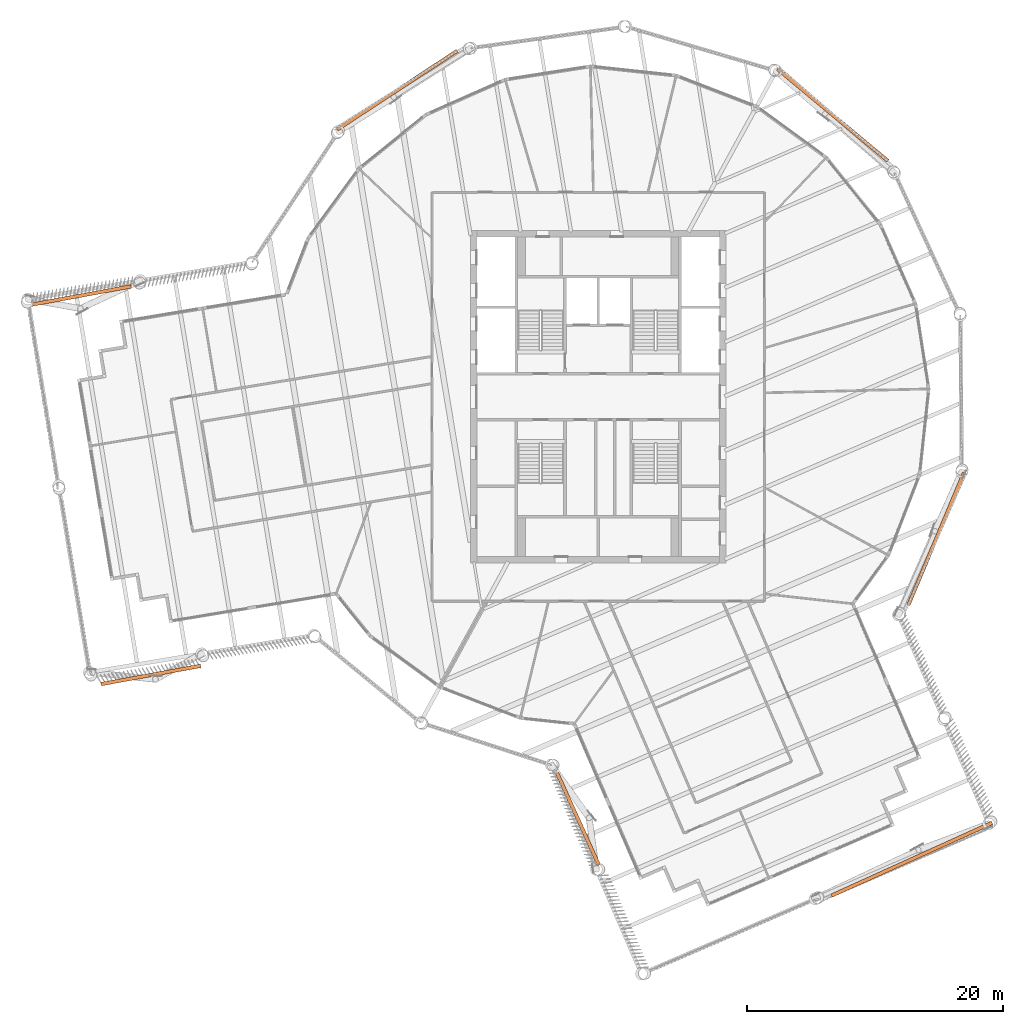
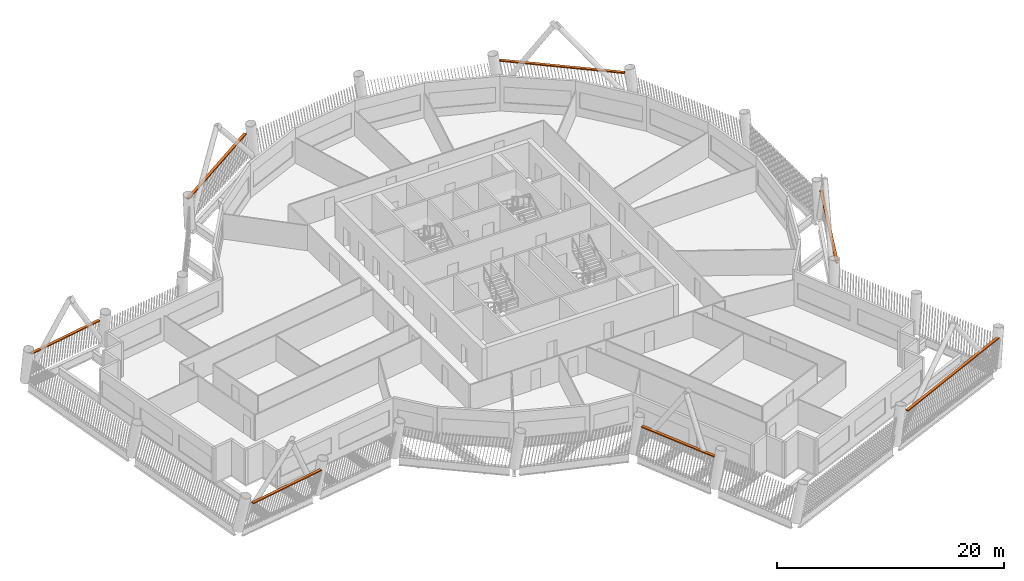
# One storey, part 23 of 23: 7 proxies.
"""IFC4 building model written with IfcOpenShell, lengths in metres."""

import ifcopenshell
import ifcopenshell.guid

model = None  # the IFC model being written
_history = None  # IfcOwnerHistory: only IFC2X3 demands one
_inside = {}  # id of a spatial element -> (the spatial element, [elements in it])
_under = {}  # id of a project, library or spatial element -> (it, [spatial elements below it])
_declared = {}  # id of a project -> (the project, [libraries it declares])
_typed = {}  # id of a type object -> (the type object, [elements of that type])
_made_of = {}  # id of a material, layer set ... -> (it, [elements and type objects made of it])


def new_model(schema):
    """Start an empty IFC model of exactly this schema.

    Asked for "IFC4X3", IfcOpenShell would pick the latest addendum, in which some entities
    have other attributes; the version numbers below select the first issue.
    IFC2X3 requires an IfcOwnerHistory on every rooted entity: one is made here for all.
    """
    global model, _history
    if schema == "IFC4X3":
        model = ifcopenshell.file(schema_version=(4, 3, 0, 0))
    else:
        model = ifcopenshell.file(schema=schema)
    _inside.clear()
    _under.clear()
    _declared.clear()
    _typed.clear()
    _made_of.clear()
    _history = None
    if model.schema == "IFC2X3":
        org = make("IfcOrganization", Name="unknown")
        user = make(
            "IfcPersonAndOrganization",
            ThePerson=make("IfcPerson", FamilyName="unknown"),
            TheOrganization=org,
        )
        app = make(
            "IfcApplication",
            ApplicationDeveloper=org,
            Version="unknown",
            ApplicationFullName="unknown",
            ApplicationIdentifier="unknown",
        )
        _history = make(
            "IfcOwnerHistory",
            OwningUser=user,
            OwningApplication=app,
            ChangeAction="ADDED",
            CreationDate=0,
        )
    return model


def make(cls, **values):
    """One entity of the class cls with the attributes given. An attribute that is None is left unset."""
    return model.create_entity(
        cls, **{name: value for name, value in values.items() if value is not None}
    )


def rooted(cls, **values):
    """An entity with a GlobalId (a new one), such as an element, a storey or a relation."""
    return make(cls, GlobalId=ifcopenshell.guid.new(), OwnerHistory=_history, **values)


def si_unit(unit_type, name, prefix=None):
    """IfcSIUnit, for example si_unit("LENGTHUNIT", "METRE", prefix="MILLI")."""
    return make("IfcSIUnit", UnitType=unit_type, Prefix=prefix, Name=name)


def assignment(units):
    """IfcUnitAssignment: the units of a project."""
    return None if units is None else make("IfcUnitAssignment", Units=units)


def point(xyz):
    """IfcCartesianPoint."""
    return None if xyz is None else make("IfcCartesianPoint", Coordinates=xyz)


def direction(xyz):
    """IfcDirection."""
    return None if xyz is None else make("IfcDirection", DirectionRatios=xyz)


def frame(location, z_axis=None, x_axis=None):
    """IfcAxis2Placement3D, a coordinate frame: its origin and axes. An axis left out is left unset."""
    return make(
        "IfcAxis2Placement3D",
        Location=point(location),
        Axis=direction(z_axis),
        RefDirection=direction(x_axis),
    )


def frame_2d(location, x_axis=None):
    """IfcAxis2Placement2D, a coordinate frame in the plane: its origin and x axis."""
    return make(
        "IfcAxis2Placement2D", Location=point(location), RefDirection=direction(x_axis)
    )


def origin():
    """The frame at (0, 0, 0) with its axes left unset."""
    return frame((0.0, 0.0, 0.0))


def origin_2d():
    """The frame at (0, 0) in the plane with its x axis left unset."""
    return frame_2d((0.0, 0.0))


def place(relative_to, where):
    """IfcLocalPlacement: puts the frame where relative to a parent placement (None: the world)."""
    return make(
        "IfcLocalPlacement", PlacementRelTo=relative_to, RelativePlacement=where
    )


def context(
    kind, dimensions, precision=None, world=None, true_north=None, identifier=None
):
    """IfcGeometricRepresentationContext, for example the 3D "Model" context."""
    return make(
        "IfcGeometricRepresentationContext",
        ContextIdentifier=identifier,
        ContextType=kind,
        CoordinateSpaceDimension=dimensions,
        Precision=precision,
        WorldCoordinateSystem=world,
        TrueNorth=true_north,
    )


def subcontext(parent, identifier, kind, view, scale=None):
    """IfcGeometricRepresentationSubContext, for example "Body" below "Model"."""
    return make(
        "IfcGeometricRepresentationSubContext",
        ContextIdentifier=identifier,
        ContextType=kind,
        ParentContext=parent,
        TargetScale=scale,
        TargetView=view,
    )


def project(units=None, contexts=None):
    """IfcProject with its units and contexts."""
    return rooted(
        "IfcProject",
        Name="project",
        RepresentationContexts=contexts,
        UnitsInContext=assignment(units),
    )


def spatial(cls, under=None, at=None, **own):
    """A site, building, storey or space (cls), placed at a placement, below another one or the project."""
    s = rooted(cls, ObjectPlacement=at, **own)
    if under is not None:
        _under.setdefault(under.id(), (under, []))[1].append(s)
    return s


def profile(cls, at=None, kind="AREA", **sizes):
    """A parametric profile (cls). Its sizes go by their IFC names, for example OverallWidth=200.0."""
    return make(cls, ProfileType=kind, Position=at, **sizes)


def rectangle(**sizes):
    """IfcRectangleProfileDef."""
    return profile("IfcRectangleProfileDef", **sizes)


def extrude(swept, where, along, depth):
    """IfcExtrudedAreaSolid: the profile swept, set in the frame where, extruded along a direction by depth."""
    return make(
        "IfcExtrudedAreaSolid",
        SweptArea=swept,
        Position=where,
        ExtrudedDirection=direction(along),
        Depth=depth,
    )


def shape(context_of_items, identifier, shape_type, items):
    """IfcShapeRepresentation: the items that make up one representation, for example the "Body"."""
    return make(
        "IfcShapeRepresentation",
        ContextOfItems=context_of_items,
        RepresentationIdentifier=identifier,
        RepresentationType=shape_type,
        Items=items,
    )


def material(Name=None, Category=None):
    """IfcMaterial."""
    return make("IfcMaterial", Name=Name, Category=Category)


def made_of(thing, what):
    """Note that an element or type object is made of a material, layer set ...; save() writes the relation."""
    if what is not None:
        _made_of.setdefault(what.id(), (what, []))[1].append(thing)
    return thing


def type_object(cls, material=None, **own):
    """A type object (cls), such as IfcWallType, which elements share."""
    return made_of(rooted(cls, **own), material)


def element(
    cls,
    number,
    at=None,
    inside=None,
    cuts=None,
    type_object=None,
    material=None,
    context=None,
    identifier="Body",
    shape_type=None,
    held_by="IfcProductDefinitionShape",
    body=None,
    shapes=None,
    **own,
):
    """One element of the class cls, such as IfcWall. Its Tag is "e" and its number.

    at: its placement. inside: the storey or other place that contains it. cuts: it is an
    opening in that element (IfcRelVoidsElement). A single representation is given by context,
    identifier, shape_type and body (its items); several are given by shapes. held_by: the class
    of the entity that holds the representations. save() writes the other relations.
    """
    e = rooted(cls, Tag="e%d" % number, ObjectPlacement=at, **own)
    if body is not None:
        shapes = [shape(context, identifier, shape_type, body)]
    if shapes is not None:
        e.Representation = make(held_by, Representations=shapes)
    if inside is not None:
        _inside.setdefault(inside.id(), (inside, []))[1].append(e)
    if cuts is not None:
        rooted(
            "IfcRelVoidsElement", RelatingBuildingElement=cuts, RelatedOpeningElement=e
        )
    if type_object is not None:
        _typed.setdefault(type_object.id(), (type_object, []))[1].append(e)
    return made_of(e, material)


def aggregate(whole, parts):
    """IfcRelAggregates: a whole, such as a stair, and the parts it consists of."""
    return rooted("IfcRelAggregates", RelatingObject=whole, RelatedObjects=parts)


def save(model, path):
    """Write the relations noted so far, then the file.

    IfcRelAggregates (storeys below a building ...), IfcRelContainedInSpatialStructure (elements
    in a storey), IfcRelDefinesByType, IfcRelAssociatesMaterial and IfcRelDeclares: one each for
    every whole, place, type object, material and project.
    """
    for whole, parts in _under.values():
        aggregate(whole, parts)
    for where, things in _inside.values():
        rooted(
            "IfcRelContainedInSpatialStructure",
            RelatedElements=things,
            RelatingStructure=where,
        )
    for kind, things in _typed.values():
        rooted("IfcRelDefinesByType", RelatedObjects=things, RelatingType=kind)
    for what, things in _made_of.values():
        rooted("IfcRelAssociatesMaterial", RelatedObjects=things, RelatingMaterial=what)
    for by, libraries in _declared.values():
        rooted("IfcRelDeclares", RelatingContext=by, RelatedDefinitions=libraries)
    model.write(path)


model = new_model("IFC4")

# Units and contexts
model_context = context("Model", 3, precision=1e-05, world=origin(), true_north=direction((0.0, 1.0)))
body_context = subcontext(model_context, "Body", "Model", "MODEL_VIEW")
ifc_project = project(units=[si_unit("LENGTHUNIT", "METRE"), si_unit("AREAUNIT", "SQUARE_METRE"), si_unit("VOLUMEUNIT", "CUBIC_METRE"), si_unit("PLANEANGLEUNIT", "RADIAN"), si_unit("MASSUNIT", "GRAM", prefix="KILO")], contexts=[model_context])

# Site, building, storey
site_placement = place(None, origin())
site = spatial("IfcSite", under=ifc_project, at=site_placement, CompositionType="ELEMENT")
building_placement = place(site_placement, origin())
building = spatial("IfcBuilding", under=site, at=building_placement, Name="Tarsis Ring Headquarters", CompositionType="ELEMENT")
storey_placement = place(building_placement, frame((0.0, 0.0, 323.60009765625)))
storey = spatial("IfcBuildingStorey", under=building, at=storey_placement, Name="L76", CompositionType="ELEMENT", Elevation=323.60009765625)

# Proxies
ifc_material = material(Name="Structural steel S355", Category="steel")
building_element_proxy_type = type_object("IfcBuildingElementProxyType", Name="Screen bracket plate", PredefinedType="USERDEFINED", material=ifc_material)
proxy_1_placement = place(storey_placement, frame((-1.582275390625, -33.052490234375, 2.967529296875), z_axis=(0.0, 0.0, 1.0), x_axis=(0.41310441393, -0.910683668016, 0.0)))
element("IfcBuildingElementProxy", 1, at=proxy_1_placement, inside=storey, type_object=building_element_proxy_type, Name="Screen bracket L76-01", ObjectType="Bracket", PredefinedType="USERDEFINED", context=body_context, shape_type="SweptSolid", body=[
    extrude(rectangle(XDim=7.90234375, YDim=0.280029296875, at=origin_2d()), origin(), (0.0, 0.0, 1.0), 0.1201171875),
])
proxy_2_placement = place(storey_placement, frame((24.541748046875, -36.18896484375, 2.967529296875), z_axis=(0.0, 0.0, 1.0), x_axis=(0.910683682436, 0.413104382141, 0.0)))
element("IfcBuildingElementProxy", 2, at=proxy_2_placement, inside=storey, type_object=building_element_proxy_type, Name="Screen bracket L76-04", ObjectType="Bracket", PredefinedType="USERDEFINED", context=body_context, shape_type="SweptSolid", body=[
    extrude(rectangle(XDim=13.800048828125, YDim=0.280029296875, at=origin_2d()), origin(), (0.0, 0.0, 1.0), 0.1201171875),
])
for number, where, z_axis, x_axis, name in (
    (3, (26.448974609375, -11.117431640625, 2.967529296875), (0.0, 0.0, 1.0), (0.387495007825, 0.921871801777, 0.0), "Screen bracket L76-07"),
    (4, (18.35400390625, 22.0517578125, 2.967529296875), (0.0, 0.0, 1.0), (-0.768604689478, 0.639724027462, 0.0), "Screen bracket L76-10"),
    (5, (-15.7333984375, 23.99169921875, 2.967529296875), (0.0, 0.0, 1.0), (-0.836226590208, -0.548384071458, 0.0), "Screen bracket L76-13"),
):
    element("IfcBuildingElementProxy", number, at=place(storey_placement, frame(where, z_axis=z_axis, x_axis=x_axis)), inside=storey, type_object=building_element_proxy_type, Name=name, ObjectType="Bracket", PredefinedType="USERDEFINED", context=body_context, shape_type="SweptSolid", body=[
        extrude(rectangle(XDim=11.248779296875, YDim=0.280029296875, at=origin_2d()), origin(), (0.0, 0.0, 1.0), 0.1201171875),
    ])
for number, where, z_axis, x_axis, name in (
    (6, (-40.44384765625, 7.92431640625, 2.967529296875), (0.0, 0.0, 1.0), (-0.983571480265, -0.180519093751, 0.0), "Screen bracket L76-16"),
    (7, (-34.993896484375, -21.769775390625, 2.967529296875), (0.0, 0.0, 1.0), (0.983571477115, 0.180519110917, 0.0), "Screen bracket L76-19"),
):
    element("IfcBuildingElementProxy", number, at=place(storey_placement, frame(where, z_axis=z_axis, x_axis=x_axis)), inside=storey, type_object=building_element_proxy_type, Name=name, ObjectType="Bracket", PredefinedType="USERDEFINED", context=body_context, shape_type="SweptSolid", body=[
        extrude(rectangle(XDim=7.90234375, YDim=0.280029296875, at=origin_2d()), origin(), (0.0, 0.0, 1.0), 0.1201171875),
    ])

save(model, "model.ifc")
